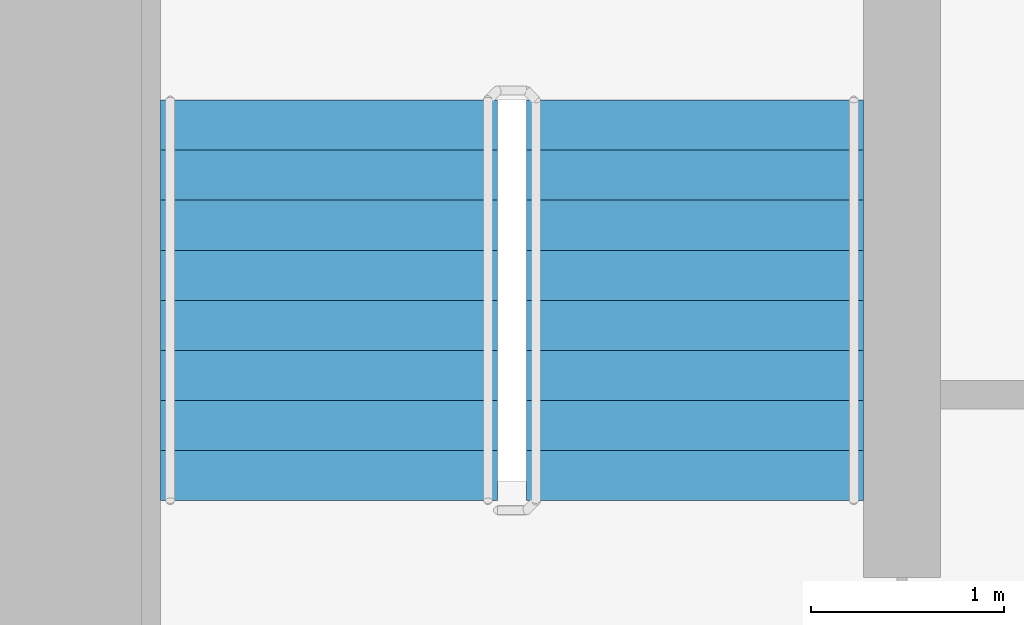
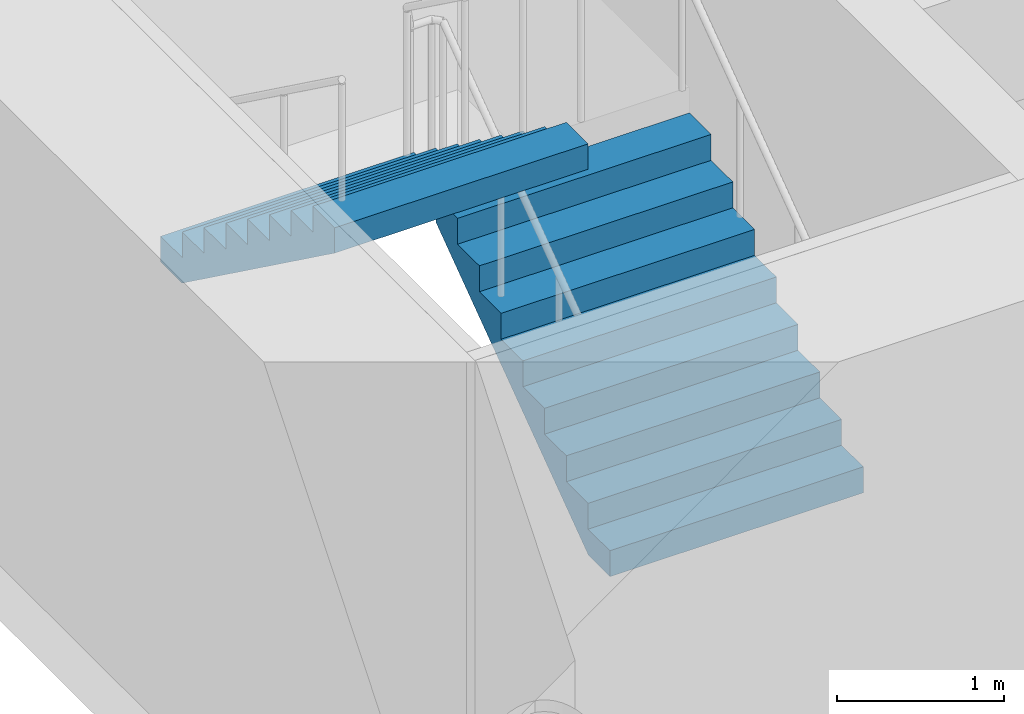
# One storey, part 19 of 21: 2 stair flights, 1 element without a shape of its own.
"""IFC4 building model written with IfcOpenShell, lengths in metres."""

from ifc_helpers import new_model, si_unit, direction, frame, origin, place, context, subcontext, project, spatial, faceted_brep, material, type_object, element, aggregate, save


model = new_model("IFC4")

# Units and contexts
model_context = context("Model", 3, precision=1e-05, world=origin(), true_north=direction((0.0, 1.0)))
body_context = subcontext(model_context, "Body", "Model", "MODEL_VIEW")
ifc_project = project(units=[si_unit("LENGTHUNIT", "METRE"), si_unit("AREAUNIT", "SQUARE_METRE"), si_unit("VOLUMEUNIT", "CUBIC_METRE"), si_unit("PLANEANGLEUNIT", "RADIAN"), si_unit("MASSUNIT", "GRAM", prefix="KILO")], contexts=[model_context])

# Site, building, storey
site_placement = place(None, origin())
site = spatial("IfcSite", under=ifc_project, at=site_placement, CompositionType="ELEMENT")
building_placement = place(site_placement, origin())
building = spatial("IfcBuilding", under=site, at=building_placement, Name="Ipe Terrace Towers", CompositionType="ELEMENT")
storey_placement = place(building_placement, frame((0.0, 0.0, 41.5)))
storey = spatial("IfcBuildingStorey", under=building, at=storey_placement, Name="L10", CompositionType="ELEMENT", Elevation=41.5)

# Stair, stair flights
ifc_material_1 = material(Name="Concrete C30/37", Category="concrete")
stair_type = type_object("IfcStairType", Name="Protected exit stair", PredefinedType="HALF_TURN_STAIR", material=ifc_material_1)
stair_placement = place(storey_placement, origin())
stair = element("IfcStair", 1, at=stair_placement, inside=storey, type_object=stair_type, Name="L10 Exit stair T2-C1", PredefinedType="HALF_TURN_STAIR")
ifc_material_2 = material(Name="Concrete C30/37", Category="concrete")
stair_flight_type = type_object("IfcStairFlightType", Name="Exit stair flight 1750", PredefinedType="STRAIGHT", material=ifc_material_2)
stair_flight_1_placement = place(storey_placement, frame((33.22509765625, 9.699951171875, 0.0), z_axis=(0.0, 0.0, 1.0), x_axis=(0.0, 1.0, 0.0)))
stair_flight_1 = element("IfcStairFlight", 2, at=stair_flight_1_placement, type_object=stair_flight_type, Name="T2-ST1 flight 1", NumberOfRisers=9, NumberOfTreads=8, PredefinedType="STRAIGHT", RiserHeight=0.188888889, TreadLength=0.26, context=body_context, shape_type="Brep", body=[
    faceted_brep([(0.255126953125, -0.875, 0.0), (2.080078125, -0.875, 1.325927734375), (2.080078125, -0.875, 1.51123046875), (1.820068359375, -0.875, 1.51123046875), (1.820068359375, -0.875, 1.322265625), (1.56005859375, -0.875, 1.322265625), (1.56005859375, -0.875, 1.13330078125), (1.300048828125, -0.875, 1.13330078125), (1.300048828125, -0.875, 0.9443359375), (1.0400390625, -0.875, 0.9443359375), (1.0400390625, -0.875, 0.755615234375), (0.780029296875, -0.875, 0.755615234375), (0.780029296875, -0.875, 0.566650390625), (0.52001953125, -0.875, 0.566650390625), (0.52001953125, -0.875, 0.377685546875), (0.260009765625, -0.875, 0.377685546875), (0.260009765625, -0.875, 0.18896484375), (0.0, -0.875, 0.18896484375), (0.0, -0.875, 0.0), (0.0, 0.875, 0.0), (0.0, 0.875, 0.18896484375), (0.260009765625, 0.875, 0.18896484375), (0.260009765625, 0.875, 0.377685546875), (0.52001953125, 0.875, 0.377685546875), (0.52001953125, 0.875, 0.566650390625), (0.780029296875, 0.875, 0.566650390625), (0.780029296875, 0.875, 0.755615234375), (1.0400390625, 0.875, 0.755615234375), (1.0400390625, 0.875, 0.9443359375), (1.300048828125, 0.875, 0.9443359375), (1.300048828125, 0.875, 1.13330078125), (1.56005859375, 0.875, 1.13330078125), (1.56005859375, 0.875, 1.322265625), (1.820068359375, 0.875, 1.322265625), (1.820068359375, 0.875, 1.51123046875), (2.080078125, 0.875, 1.51123046875), (2.080078125, 0.875, 1.325927734375), (0.255126953125, 0.875, 0.0), (0.0, -0.300048828125, 0.18896484375), (0.0, -0.1201171875, 0.18896484375), (0.0, -0.06005859375, 0.18896484375), (0.0, -0.030029296875, 0.18896484375), (0.0, -0.010009765625, 0.18896484375), (0.0, 0.0, 0.18896484375), (0.0, 0.010009765625, 0.18896484375), (0.0, 0.030029296875, 0.18896484375), (0.0, 0.06005859375, 0.18896484375), (0.0, 0.1201171875, 0.18896484375), (0.0, 0.300048828125, 0.18896484375), (0.0, 0.300048828125, 0.0), (0.0, 0.1201171875, 0.0), (0.0, 0.06005859375, 0.0), (0.0, 0.030029296875, 0.0), (0.0, 0.010009765625, 0.0), (0.0, 0.0, 0.0), (0.0, -0.010009765625, 0.0), (0.0, -0.030029296875, 0.0), (0.0, -0.06005859375, 0.0), (0.0, -0.1201171875, 0.0), (0.0, -0.300048828125, 0.0), (0.260009765625, -0.300048828125, 0.18896484375), (0.260009765625, -0.1201171875, 0.18896484375), (0.260009765625, -0.06005859375, 0.18896484375), (0.260009765625, -0.030029296875, 0.18896484375), (0.260009765625, -0.010009765625, 0.18896484375), (0.260009765625, 0.0, 0.18896484375), (0.260009765625, 0.010009765625, 0.18896484375), (0.260009765625, 0.030029296875, 0.18896484375), (0.260009765625, 0.06005859375, 0.18896484375), (0.260009765625, 0.1201171875, 0.18896484375), (0.260009765625, 0.300048828125, 0.18896484375), (0.260009765625, -0.300048828125, 0.377685546875), (0.260009765625, -0.1201171875, 0.377685546875), (0.260009765625, -0.06005859375, 0.377685546875), (0.260009765625, -0.030029296875, 0.377685546875), (0.260009765625, -0.010009765625, 0.377685546875), (0.260009765625, 0.0, 0.377685546875), (0.260009765625, 0.010009765625, 0.377685546875), (0.260009765625, 0.030029296875, 0.377685546875), (0.260009765625, 0.06005859375, 0.377685546875), (0.260009765625, 0.1201171875, 0.377685546875), (0.260009765625, 0.300048828125, 0.377685546875), (0.52001953125, -0.300048828125, 0.377685546875), (0.52001953125, -0.1201171875, 0.377685546875), (0.52001953125, -0.06005859375, 0.377685546875), (0.52001953125, -0.030029296875, 0.377685546875), (0.52001953125, -0.010009765625, 0.377685546875), (0.52001953125, 0.0, 0.377685546875), (0.52001953125, 0.010009765625, 0.377685546875), (0.52001953125, 0.030029296875, 0.377685546875), (0.52001953125, 0.06005859375, 0.377685546875), (0.52001953125, 0.1201171875, 0.377685546875), (0.52001953125, 0.300048828125, 0.377685546875), (0.52001953125, -0.300048828125, 0.566650390625), (0.52001953125, -0.1201171875, 0.566650390625), (0.52001953125, -0.06005859375, 0.566650390625), (0.52001953125, -0.030029296875, 0.566650390625), (0.52001953125, -0.010009765625, 0.566650390625), (0.52001953125, 0.0, 0.566650390625), (0.52001953125, 0.010009765625, 0.566650390625), (0.52001953125, 0.030029296875, 0.566650390625), (0.52001953125, 0.06005859375, 0.566650390625), (0.52001953125, 0.1201171875, 0.566650390625), (0.52001953125, 0.300048828125, 0.566650390625), (0.780029296875, -0.300048828125, 0.566650390625), (0.780029296875, -0.1201171875, 0.566650390625), (0.780029296875, -0.06005859375, 0.566650390625), (0.780029296875, -0.030029296875, 0.566650390625), (0.780029296875, -0.010009765625, 0.566650390625), (0.780029296875, 0.0, 0.566650390625), (0.780029296875, 0.010009765625, 0.566650390625), (0.780029296875, 0.030029296875, 0.566650390625), (0.780029296875, 0.06005859375, 0.566650390625), (0.780029296875, 0.1201171875, 0.566650390625), (0.780029296875, 0.300048828125, 0.566650390625), (0.780029296875, -0.300048828125, 0.755615234375), (0.780029296875, -0.1201171875, 0.755615234375), (0.780029296875, -0.06005859375, 0.755615234375), (0.780029296875, -0.030029296875, 0.755615234375), (0.780029296875, -0.010009765625, 0.755615234375), (0.780029296875, 0.0, 0.755615234375), (0.780029296875, 0.010009765625, 0.755615234375), (0.780029296875, 0.030029296875, 0.755615234375), (0.780029296875, 0.06005859375, 0.755615234375), (0.780029296875, 0.1201171875, 0.755615234375), (0.780029296875, 0.300048828125, 0.755615234375), (1.0400390625, -0.300048828125, 0.755615234375), (1.0400390625, -0.1201171875, 0.755615234375), (1.0400390625, -0.06005859375, 0.755615234375), (1.0400390625, -0.030029296875, 0.755615234375), (1.0400390625, -0.010009765625, 0.755615234375), (1.0400390625, 0.0, 0.755615234375), (1.0400390625, 0.010009765625, 0.755615234375), (1.0400390625, 0.030029296875, 0.755615234375), (1.0400390625, 0.06005859375, 0.755615234375), (1.0400390625, 0.1201171875, 0.755615234375), (1.0400390625, 0.300048828125, 0.755615234375), (1.0400390625, -0.300048828125, 0.9443359375), (1.0400390625, -0.1201171875, 0.9443359375), (1.0400390625, -0.06005859375, 0.9443359375), (1.0400390625, -0.030029296875, 0.9443359375), (1.0400390625, -0.010009765625, 0.9443359375), (1.0400390625, 0.0, 0.9443359375), (1.0400390625, 0.010009765625, 0.9443359375), (1.0400390625, 0.030029296875, 0.9443359375), (1.0400390625, 0.06005859375, 0.9443359375), (1.0400390625, 0.1201171875, 0.9443359375), (1.0400390625, 0.300048828125, 0.9443359375), (1.300048828125, -0.300048828125, 0.9443359375), (1.300048828125, -0.1201171875, 0.9443359375), (1.300048828125, -0.06005859375, 0.9443359375), (1.300048828125, -0.030029296875, 0.9443359375), (1.300048828125, -0.010009765625, 0.9443359375), (1.300048828125, 0.0, 0.9443359375), (1.300048828125, 0.010009765625, 0.9443359375), (1.300048828125, 0.030029296875, 0.9443359375), (1.300048828125, 0.06005859375, 0.9443359375), (1.300048828125, 0.1201171875, 0.9443359375), (1.300048828125, 0.300048828125, 0.9443359375), (1.300048828125, -0.300048828125, 1.13330078125), (1.300048828125, -0.1201171875, 1.13330078125), (1.300048828125, -0.06005859375, 1.13330078125), (1.300048828125, -0.030029296875, 1.13330078125), (1.300048828125, -0.010009765625, 1.13330078125), (1.300048828125, 0.0, 1.13330078125), (1.300048828125, 0.010009765625, 1.13330078125), (1.300048828125, 0.030029296875, 1.13330078125), (1.300048828125, 0.06005859375, 1.13330078125), (1.300048828125, 0.1201171875, 1.13330078125), (1.300048828125, 0.300048828125, 1.13330078125), (1.56005859375, -0.300048828125, 1.13330078125), (1.56005859375, -0.1201171875, 1.13330078125), (1.56005859375, -0.06005859375, 1.13330078125), (1.56005859375, -0.030029296875, 1.13330078125), (1.56005859375, -0.010009765625, 1.13330078125), (1.56005859375, 0.0, 1.13330078125), (1.56005859375, 0.010009765625, 1.13330078125), (1.56005859375, 0.030029296875, 1.13330078125), (1.56005859375, 0.06005859375, 1.13330078125), (1.56005859375, 0.1201171875, 1.13330078125), (1.56005859375, 0.300048828125, 1.13330078125), (1.56005859375, -0.300048828125, 1.322265625), (1.56005859375, -0.1201171875, 1.322265625), (1.56005859375, -0.06005859375, 1.322265625), (1.56005859375, -0.030029296875, 1.322265625), (1.56005859375, -0.010009765625, 1.322265625), (1.56005859375, 0.0, 1.322265625), (1.56005859375, 0.010009765625, 1.322265625), (1.56005859375, 0.030029296875, 1.322265625), (1.56005859375, 0.06005859375, 1.322265625), (1.56005859375, 0.1201171875, 1.322265625), (1.56005859375, 0.300048828125, 1.322265625), (1.820068359375, -0.300048828125, 1.322265625), (1.820068359375, -0.1201171875, 1.322265625), (1.820068359375, -0.06005859375, 1.322265625), (1.820068359375, -0.030029296875, 1.322265625), (1.820068359375, -0.010009765625, 1.322265625), (1.820068359375, 0.0, 1.322265625), (1.820068359375, 0.010009765625, 1.322265625), (1.820068359375, 0.030029296875, 1.322265625), (1.820068359375, 0.06005859375, 1.322265625), (1.820068359375, 0.1201171875, 1.322265625), (1.820068359375, 0.300048828125, 1.322265625), (1.820068359375, -0.300048828125, 1.51123046875), (1.820068359375, -0.1201171875, 1.51123046875), (1.820068359375, -0.06005859375, 1.51123046875), (1.820068359375, -0.030029296875, 1.51123046875), (1.820068359375, -0.010009765625, 1.51123046875), (1.820068359375, 0.0, 1.51123046875), (1.820068359375, 0.010009765625, 1.51123046875), (1.820068359375, 0.030029296875, 1.51123046875), (1.820068359375, 0.06005859375, 1.51123046875), (1.820068359375, 0.1201171875, 1.51123046875), (1.820068359375, 0.300048828125, 1.51123046875), (2.080078125, -0.300048828125, 1.51123046875), (2.080078125, -0.1201171875, 1.51123046875), (2.080078125, -0.06005859375, 1.51123046875), (2.080078125, -0.030029296875, 1.51123046875), (2.080078125, -0.010009765625, 1.51123046875), (2.080078125, 0.0, 1.51123046875), (2.080078125, 0.010009765625, 1.51123046875), (2.080078125, 0.030029296875, 1.51123046875), (2.080078125, 0.06005859375, 1.51123046875), (2.080078125, 0.1201171875, 1.51123046875), (2.080078125, 0.300048828125, 1.51123046875), (2.080078125, -0.300048828125, 1.325927734375), (2.080078125, -0.1201171875, 1.325927734375), (2.080078125, -0.06005859375, 1.325927734375), (2.080078125, -0.030029296875, 1.325927734375), (2.080078125, -0.010009765625, 1.325927734375), (2.080078125, 0.0, 1.325927734375), (2.080078125, 0.010009765625, 1.325927734375), (2.080078125, 0.030029296875, 1.325927734375), (2.080078125, 0.06005859375, 1.325927734375), (2.080078125, 0.1201171875, 1.325927734375), (2.080078125, 0.300048828125, 1.325927734375), (0.255126953125, -0.300048828125, 0.0), (0.255126953125, -0.1201171875, 0.0), (0.255126953125, -0.06005859375, 0.0), (0.255126953125, -0.030029296875, 0.0), (0.255126953125, -0.010009765625, 0.0), (0.255126953125, 0.0, 0.0), (0.255126953125, 0.010009765625, 0.0), (0.255126953125, 0.030029296875, 0.0), (0.255126953125, 0.06005859375, 0.0), (0.255126953125, 0.1201171875, 0.0), (0.255126953125, 0.300048828125, 0.0)], [[[0, 1, 2, 3, 4, 5, 6, 7, 8, 9, 10, 11, 12, 13, 14, 15, 16, 17, 18]], [[19, 20, 21, 22, 23, 24, 25, 26, 27, 28, 29, 30, 31, 32, 33, 34, 35, 36, 37]], [[17, 38, 39, 40, 41, 42, 43, 44, 45, 46, 47, 48, 20, 19, 49, 50, 51, 52, 53, 54, 55, 56, 57, 58, 59, 18]], [[16, 60, 61, 62, 63, 64, 65, 66, 67, 68, 69, 70, 21, 20, 48, 47, 46, 45, 44, 43, 42, 41, 40, 39, 38, 17]], [[15, 71, 72, 73, 74, 75, 76, 77, 78, 79, 80, 81, 22, 21, 70, 69, 68, 67, 66, 65, 64, 63, 62, 61, 60, 16]], [[14, 82, 83, 84, 85, 86, 87, 88, 89, 90, 91, 92, 23, 22, 81, 80, 79, 78, 77, 76, 75, 74, 73, 72, 71, 15]], [[13, 93, 94, 95, 96, 97, 98, 99, 100, 101, 102, 103, 24, 23, 92, 91, 90, 89, 88, 87, 86, 85, 84, 83, 82, 14]], [[12, 104, 105, 106, 107, 108, 109, 110, 111, 112, 113, 114, 25, 24, 103, 102, 101, 100, 99, 98, 97, 96, 95, 94, 93, 13]], [[11, 115, 116, 117, 118, 119, 120, 121, 122, 123, 124, 125, 26, 25, 114, 113, 112, 111, 110, 109, 108, 107, 106, 105, 104, 12]], [[10, 126, 127, 128, 129, 130, 131, 132, 133, 134, 135, 136, 27, 26, 125, 124, 123, 122, 121, 120, 119, 118, 117, 116, 115, 11]], [[9, 137, 138, 139, 140, 141, 142, 143, 144, 145, 146, 147, 28, 27, 136, 135, 134, 133, 132, 131, 130, 129, 128, 127, 126, 10]], [[8, 148, 149, 150, 151, 152, 153, 154, 155, 156, 157, 158, 29, 28, 147, 146, 145, 144, 143, 142, 141, 140, 139, 138, 137, 9]], [[7, 159, 160, 161, 162, 163, 164, 165, 166, 167, 168, 169, 30, 29, 158, 157, 156, 155, 154, 153, 152, 151, 150, 149, 148, 8]], [[6, 170, 171, 172, 173, 174, 175, 176, 177, 178, 179, 180, 31, 30, 169, 168, 167, 166, 165, 164, 163, 162, 161, 160, 159, 7]], [[5, 181, 182, 183, 184, 185, 186, 187, 188, 189, 190, 191, 32, 31, 180, 179, 178, 177, 176, 175, 174, 173, 172, 171, 170, 6]], [[4, 192, 193, 194, 195, 196, 197, 198, 199, 200, 201, 202, 33, 32, 191, 190, 189, 188, 187, 186, 185, 184, 183, 182, 181, 5]], [[3, 203, 204, 205, 206, 207, 208, 209, 210, 211, 212, 213, 34, 33, 202, 201, 200, 199, 198, 197, 196, 195, 194, 193, 192, 4]], [[2, 214, 215, 216, 217, 218, 219, 220, 221, 222, 223, 224, 35, 34, 213, 212, 211, 210, 209, 208, 207, 206, 205, 204, 203, 3]], [[1, 225, 226, 227, 228, 229, 230, 231, 232, 233, 234, 235, 36, 35, 224, 223, 222, 221, 220, 219, 218, 217, 216, 215, 214, 2]], [[0, 236, 237, 238, 239, 240, 241, 242, 243, 244, 245, 246, 37, 36, 235, 234, 233, 232, 231, 230, 229, 228, 227, 226, 225, 1]], [[18, 59, 58, 57, 56, 55, 54, 53, 52, 51, 50, 49, 19, 37, 246, 245, 244, 243, 242, 241, 240, 239, 238, 237, 236, 0]]]),
])
stair_flight_2_placement = place(storey_placement, frame((31.324951171875, 11.780029296875, 1.699951171875), z_axis=(0.0, 0.0, 1.0), x_axis=(0.0, -1.0, 0.0)))
stair_flight_2 = element("IfcStairFlight", 3, at=stair_flight_2_placement, type_object=stair_flight_type, Name="T2-ST1 flight 2", NumberOfRisers=9, NumberOfTreads=8, PredefinedType="STRAIGHT", RiserHeight=0.188888889, TreadLength=0.26, context=body_context, shape_type="Brep", body=[
    faceted_brep([(0.255126953125, -0.875, 0.0), (2.080078125, -0.875, 1.325927734375), (2.080078125, -0.875, 1.51123046875), (1.820068359375, -0.875, 1.51123046875), (1.820068359375, -0.875, 1.322265625), (1.56005859375, -0.875, 1.322265625), (1.56005859375, -0.875, 1.13330078125), (1.300048828125, -0.875, 1.13330078125), (1.300048828125, -0.875, 0.9443359375), (1.0400390625, -0.875, 0.9443359375), (1.0400390625, -0.875, 0.755615234375), (0.780029296875, -0.875, 0.755615234375), (0.780029296875, -0.875, 0.566650390625), (0.52001953125, -0.875, 0.566650390625), (0.52001953125, -0.875, 0.377685546875), (0.260009765625, -0.875, 0.377685546875), (0.260009765625, -0.875, 0.18896484375), (0.0, -0.875, 0.18896484375), (0.0, -0.875, 0.0), (0.0, 0.875, 0.0), (0.0, 0.875, 0.18896484375), (0.260009765625, 0.875, 0.18896484375), (0.260009765625, 0.875, 0.377685546875), (0.52001953125, 0.875, 0.377685546875), (0.52001953125, 0.875, 0.566650390625), (0.780029296875, 0.875, 0.566650390625), (0.780029296875, 0.875, 0.755615234375), (1.0400390625, 0.875, 0.755615234375), (1.0400390625, 0.875, 0.9443359375), (1.300048828125, 0.875, 0.9443359375), (1.300048828125, 0.875, 1.13330078125), (1.56005859375, 0.875, 1.13330078125), (1.56005859375, 0.875, 1.322265625), (1.820068359375, 0.875, 1.322265625), (1.820068359375, 0.875, 1.51123046875), (2.080078125, 0.875, 1.51123046875), (2.080078125, 0.875, 1.325927734375), (0.255126953125, 0.875, 0.0), (0.0, -0.300048828125, 0.18896484375), (0.0, -0.1201171875, 0.18896484375), (0.0, -0.06005859375, 0.18896484375), (0.0, -0.030029296875, 0.18896484375), (0.0, -0.010009765625, 0.18896484375), (0.0, 0.0, 0.18896484375), (0.0, 0.010009765625, 0.18896484375), (0.0, 0.030029296875, 0.18896484375), (0.0, 0.06005859375, 0.18896484375), (0.0, 0.1201171875, 0.18896484375), (0.0, 0.300048828125, 0.18896484375), (0.0, 0.300048828125, 0.0), (0.0, 0.1201171875, 0.0), (0.0, 0.06005859375, 0.0), (0.0, 0.030029296875, 0.0), (0.0, 0.010009765625, 0.0), (0.0, 0.0, 0.0), (0.0, -0.010009765625, 0.0), (0.0, -0.030029296875, 0.0), (0.0, -0.06005859375, 0.0), (0.0, -0.1201171875, 0.0), (0.0, -0.300048828125, 0.0), (0.260009765625, -0.300048828125, 0.18896484375), (0.260009765625, -0.1201171875, 0.18896484375), (0.260009765625, -0.06005859375, 0.18896484375), (0.260009765625, -0.030029296875, 0.18896484375), (0.260009765625, -0.010009765625, 0.18896484375), (0.260009765625, 0.0, 0.18896484375), (0.260009765625, 0.010009765625, 0.18896484375), (0.260009765625, 0.030029296875, 0.18896484375), (0.260009765625, 0.06005859375, 0.18896484375), (0.260009765625, 0.1201171875, 0.18896484375), (0.260009765625, 0.300048828125, 0.18896484375), (0.260009765625, -0.300048828125, 0.377685546875), (0.260009765625, -0.1201171875, 0.377685546875), (0.260009765625, -0.06005859375, 0.377685546875), (0.260009765625, -0.030029296875, 0.377685546875), (0.260009765625, -0.010009765625, 0.377685546875), (0.260009765625, 0.0, 0.377685546875), (0.260009765625, 0.010009765625, 0.377685546875), (0.260009765625, 0.030029296875, 0.377685546875), (0.260009765625, 0.06005859375, 0.377685546875), (0.260009765625, 0.1201171875, 0.377685546875), (0.260009765625, 0.300048828125, 0.377685546875), (0.52001953125, -0.300048828125, 0.377685546875), (0.52001953125, -0.1201171875, 0.377685546875), (0.52001953125, -0.06005859375, 0.377685546875), (0.52001953125, -0.030029296875, 0.377685546875), (0.52001953125, -0.010009765625, 0.377685546875), (0.52001953125, 0.0, 0.377685546875), (0.52001953125, 0.010009765625, 0.377685546875), (0.52001953125, 0.030029296875, 0.377685546875), (0.52001953125, 0.06005859375, 0.377685546875), (0.52001953125, 0.1201171875, 0.377685546875), (0.52001953125, 0.300048828125, 0.377685546875), (0.52001953125, -0.300048828125, 0.566650390625), (0.52001953125, -0.1201171875, 0.566650390625), (0.52001953125, -0.06005859375, 0.566650390625), (0.52001953125, -0.030029296875, 0.566650390625), (0.52001953125, -0.010009765625, 0.566650390625), (0.52001953125, 0.0, 0.566650390625), (0.52001953125, 0.010009765625, 0.566650390625), (0.52001953125, 0.030029296875, 0.566650390625), (0.52001953125, 0.06005859375, 0.566650390625), (0.52001953125, 0.1201171875, 0.566650390625), (0.52001953125, 0.300048828125, 0.566650390625), (0.780029296875, -0.300048828125, 0.566650390625), (0.780029296875, -0.1201171875, 0.566650390625), (0.780029296875, -0.06005859375, 0.566650390625), (0.780029296875, -0.030029296875, 0.566650390625), (0.780029296875, -0.010009765625, 0.566650390625), (0.780029296875, 0.0, 0.566650390625), (0.780029296875, 0.010009765625, 0.566650390625), (0.780029296875, 0.030029296875, 0.566650390625), (0.780029296875, 0.06005859375, 0.566650390625), (0.780029296875, 0.1201171875, 0.566650390625), (0.780029296875, 0.300048828125, 0.566650390625), (0.780029296875, -0.300048828125, 0.755615234375), (0.780029296875, -0.1201171875, 0.755615234375), (0.780029296875, -0.06005859375, 0.755615234375), (0.780029296875, -0.030029296875, 0.755615234375), (0.780029296875, -0.010009765625, 0.755615234375), (0.780029296875, 0.0, 0.755615234375), (0.780029296875, 0.010009765625, 0.755615234375), (0.780029296875, 0.030029296875, 0.755615234375), (0.780029296875, 0.06005859375, 0.755615234375), (0.780029296875, 0.1201171875, 0.755615234375), (0.780029296875, 0.300048828125, 0.755615234375), (1.0400390625, -0.300048828125, 0.755615234375), (1.0400390625, -0.1201171875, 0.755615234375), (1.0400390625, -0.06005859375, 0.755615234375), (1.0400390625, -0.030029296875, 0.755615234375), (1.0400390625, -0.010009765625, 0.755615234375), (1.0400390625, 0.0, 0.755615234375), (1.0400390625, 0.010009765625, 0.755615234375), (1.0400390625, 0.030029296875, 0.755615234375), (1.0400390625, 0.06005859375, 0.755615234375), (1.0400390625, 0.1201171875, 0.755615234375), (1.0400390625, 0.300048828125, 0.755615234375), (1.0400390625, -0.300048828125, 0.9443359375), (1.0400390625, -0.1201171875, 0.9443359375), (1.0400390625, -0.06005859375, 0.9443359375), (1.0400390625, -0.030029296875, 0.9443359375), (1.0400390625, -0.010009765625, 0.9443359375), (1.0400390625, 0.0, 0.9443359375), (1.0400390625, 0.010009765625, 0.9443359375), (1.0400390625, 0.030029296875, 0.9443359375), (1.0400390625, 0.06005859375, 0.9443359375), (1.0400390625, 0.1201171875, 0.9443359375), (1.0400390625, 0.300048828125, 0.9443359375), (1.300048828125, -0.300048828125, 0.9443359375), (1.300048828125, -0.1201171875, 0.9443359375), (1.300048828125, -0.06005859375, 0.9443359375), (1.300048828125, -0.030029296875, 0.9443359375), (1.300048828125, -0.010009765625, 0.9443359375), (1.300048828125, 0.0, 0.9443359375), (1.300048828125, 0.010009765625, 0.9443359375), (1.300048828125, 0.030029296875, 0.9443359375), (1.300048828125, 0.06005859375, 0.9443359375), (1.300048828125, 0.1201171875, 0.9443359375), (1.300048828125, 0.300048828125, 0.9443359375), (1.300048828125, -0.300048828125, 1.13330078125), (1.300048828125, -0.1201171875, 1.13330078125), (1.300048828125, -0.06005859375, 1.13330078125), (1.300048828125, -0.030029296875, 1.13330078125), (1.300048828125, -0.010009765625, 1.13330078125), (1.300048828125, 0.0, 1.13330078125), (1.300048828125, 0.010009765625, 1.13330078125), (1.300048828125, 0.030029296875, 1.13330078125), (1.300048828125, 0.06005859375, 1.13330078125), (1.300048828125, 0.1201171875, 1.13330078125), (1.300048828125, 0.300048828125, 1.13330078125), (1.56005859375, -0.300048828125, 1.13330078125), (1.56005859375, -0.1201171875, 1.13330078125), (1.56005859375, -0.06005859375, 1.13330078125), (1.56005859375, -0.030029296875, 1.13330078125), (1.56005859375, -0.010009765625, 1.13330078125), (1.56005859375, 0.0, 1.13330078125), (1.56005859375, 0.010009765625, 1.13330078125), (1.56005859375, 0.030029296875, 1.13330078125), (1.56005859375, 0.06005859375, 1.13330078125), (1.56005859375, 0.1201171875, 1.13330078125), (1.56005859375, 0.300048828125, 1.13330078125), (1.56005859375, -0.300048828125, 1.322265625), (1.56005859375, -0.1201171875, 1.322265625), (1.56005859375, -0.06005859375, 1.322265625), (1.56005859375, -0.030029296875, 1.322265625), (1.56005859375, -0.010009765625, 1.322265625), (1.56005859375, 0.0, 1.322265625), (1.56005859375, 0.010009765625, 1.322265625), (1.56005859375, 0.030029296875, 1.322265625), (1.56005859375, 0.06005859375, 1.322265625), (1.56005859375, 0.1201171875, 1.322265625), (1.56005859375, 0.300048828125, 1.322265625), (1.820068359375, -0.300048828125, 1.322265625), (1.820068359375, -0.1201171875, 1.322265625), (1.820068359375, -0.06005859375, 1.322265625), (1.820068359375, -0.030029296875, 1.322265625), (1.820068359375, -0.010009765625, 1.322265625), (1.820068359375, 0.0, 1.322265625), (1.820068359375, 0.010009765625, 1.322265625), (1.820068359375, 0.030029296875, 1.322265625), (1.820068359375, 0.06005859375, 1.322265625), (1.820068359375, 0.1201171875, 1.322265625), (1.820068359375, 0.300048828125, 1.322265625), (1.820068359375, -0.300048828125, 1.51123046875), (1.820068359375, -0.1201171875, 1.51123046875), (1.820068359375, -0.06005859375, 1.51123046875), (1.820068359375, -0.030029296875, 1.51123046875), (1.820068359375, -0.010009765625, 1.51123046875), (1.820068359375, 0.0, 1.51123046875), (1.820068359375, 0.010009765625, 1.51123046875), (1.820068359375, 0.030029296875, 1.51123046875), (1.820068359375, 0.06005859375, 1.51123046875), (1.820068359375, 0.1201171875, 1.51123046875), (1.820068359375, 0.300048828125, 1.51123046875), (2.080078125, -0.300048828125, 1.51123046875), (2.080078125, -0.1201171875, 1.51123046875), (2.080078125, -0.06005859375, 1.51123046875), (2.080078125, -0.030029296875, 1.51123046875), (2.080078125, -0.010009765625, 1.51123046875), (2.080078125, 0.0, 1.51123046875), (2.080078125, 0.010009765625, 1.51123046875), (2.080078125, 0.030029296875, 1.51123046875), (2.080078125, 0.06005859375, 1.51123046875), (2.080078125, 0.1201171875, 1.51123046875), (2.080078125, 0.300048828125, 1.51123046875), (2.080078125, -0.300048828125, 1.325927734375), (2.080078125, -0.1201171875, 1.325927734375), (2.080078125, -0.06005859375, 1.325927734375), (2.080078125, -0.030029296875, 1.325927734375), (2.080078125, -0.010009765625, 1.325927734375), (2.080078125, 0.0, 1.325927734375), (2.080078125, 0.010009765625, 1.325927734375), (2.080078125, 0.030029296875, 1.325927734375), (2.080078125, 0.06005859375, 1.325927734375), (2.080078125, 0.1201171875, 1.325927734375), (2.080078125, 0.300048828125, 1.325927734375), (0.255126953125, -0.300048828125, 0.0), (0.255126953125, -0.1201171875, 0.0), (0.255126953125, -0.06005859375, 0.0), (0.255126953125, -0.030029296875, 0.0), (0.255126953125, -0.010009765625, 0.0), (0.255126953125, 0.0, 0.0), (0.255126953125, 0.010009765625, 0.0), (0.255126953125, 0.030029296875, 0.0), (0.255126953125, 0.06005859375, 0.0), (0.255126953125, 0.1201171875, 0.0), (0.255126953125, 0.300048828125, 0.0)], [[[0, 1, 2, 3, 4, 5, 6, 7, 8, 9, 10, 11, 12, 13, 14, 15, 16, 17, 18]], [[19, 20, 21, 22, 23, 24, 25, 26, 27, 28, 29, 30, 31, 32, 33, 34, 35, 36, 37]], [[17, 38, 39, 40, 41, 42, 43, 44, 45, 46, 47, 48, 20, 19, 49, 50, 51, 52, 53, 54, 55, 56, 57, 58, 59, 18]], [[16, 60, 61, 62, 63, 64, 65, 66, 67, 68, 69, 70, 21, 20, 48, 47, 46, 45, 44, 43, 42, 41, 40, 39, 38, 17]], [[15, 71, 72, 73, 74, 75, 76, 77, 78, 79, 80, 81, 22, 21, 70, 69, 68, 67, 66, 65, 64, 63, 62, 61, 60, 16]], [[14, 82, 83, 84, 85, 86, 87, 88, 89, 90, 91, 92, 23, 22, 81, 80, 79, 78, 77, 76, 75, 74, 73, 72, 71, 15]], [[13, 93, 94, 95, 96, 97, 98, 99, 100, 101, 102, 103, 24, 23, 92, 91, 90, 89, 88, 87, 86, 85, 84, 83, 82, 14]], [[12, 104, 105, 106, 107, 108, 109, 110, 111, 112, 113, 114, 25, 24, 103, 102, 101, 100, 99, 98, 97, 96, 95, 94, 93, 13]], [[11, 115, 116, 117, 118, 119, 120, 121, 122, 123, 124, 125, 26, 25, 114, 113, 112, 111, 110, 109, 108, 107, 106, 105, 104, 12]], [[10, 126, 127, 128, 129, 130, 131, 132, 133, 134, 135, 136, 27, 26, 125, 124, 123, 122, 121, 120, 119, 118, 117, 116, 115, 11]], [[9, 137, 138, 139, 140, 141, 142, 143, 144, 145, 146, 147, 28, 27, 136, 135, 134, 133, 132, 131, 130, 129, 128, 127, 126, 10]], [[8, 148, 149, 150, 151, 152, 153, 154, 155, 156, 157, 158, 29, 28, 147, 146, 145, 144, 143, 142, 141, 140, 139, 138, 137, 9]], [[7, 159, 160, 161, 162, 163, 164, 165, 166, 167, 168, 169, 30, 29, 158, 157, 156, 155, 154, 153, 152, 151, 150, 149, 148, 8]], [[6, 170, 171, 172, 173, 174, 175, 176, 177, 178, 179, 180, 31, 30, 169, 168, 167, 166, 165, 164, 163, 162, 161, 160, 159, 7]], [[5, 181, 182, 183, 184, 185, 186, 187, 188, 189, 190, 191, 32, 31, 180, 179, 178, 177, 176, 175, 174, 173, 172, 171, 170, 6]], [[4, 192, 193, 194, 195, 196, 197, 198, 199, 200, 201, 202, 33, 32, 191, 190, 189, 188, 187, 186, 185, 184, 183, 182, 181, 5]], [[3, 203, 204, 205, 206, 207, 208, 209, 210, 211, 212, 213, 34, 33, 202, 201, 200, 199, 198, 197, 196, 195, 194, 193, 192, 4]], [[2, 214, 215, 216, 217, 218, 219, 220, 221, 222, 223, 224, 35, 34, 213, 212, 211, 210, 209, 208, 207, 206, 205, 204, 203, 3]], [[1, 225, 226, 227, 228, 229, 230, 231, 232, 233, 234, 235, 36, 35, 224, 223, 222, 221, 220, 219, 218, 217, 216, 215, 214, 2]], [[0, 236, 237, 238, 239, 240, 241, 242, 243, 244, 245, 246, 37, 36, 235, 234, 233, 232, 231, 230, 229, 228, 227, 226, 225, 1]], [[18, 59, 58, 57, 56, 55, 54, 53, 52, 51, 50, 49, 19, 37, 246, 245, 244, 243, 242, 241, 240, 239, 238, 237, 236, 0]]]),
])
aggregate(stair, [stair_flight_1, stair_flight_2])

save(model, "model.ifc")
